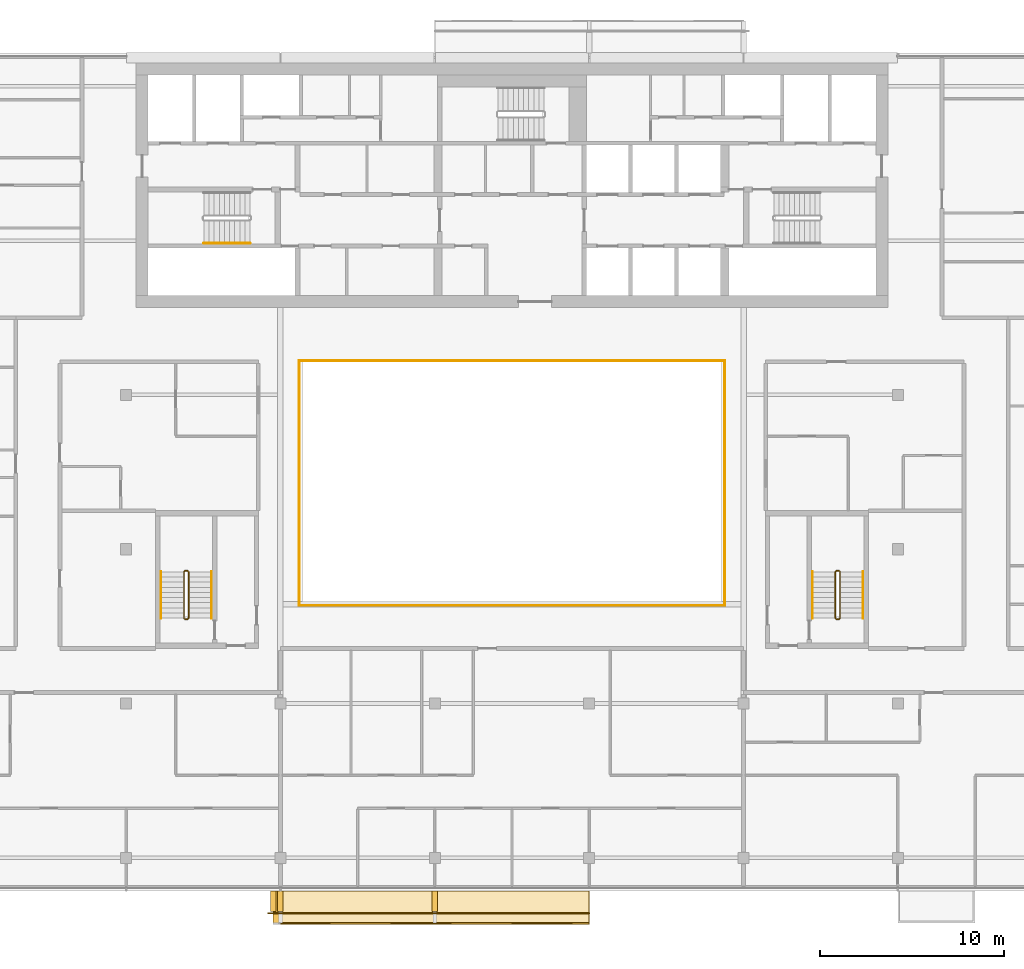
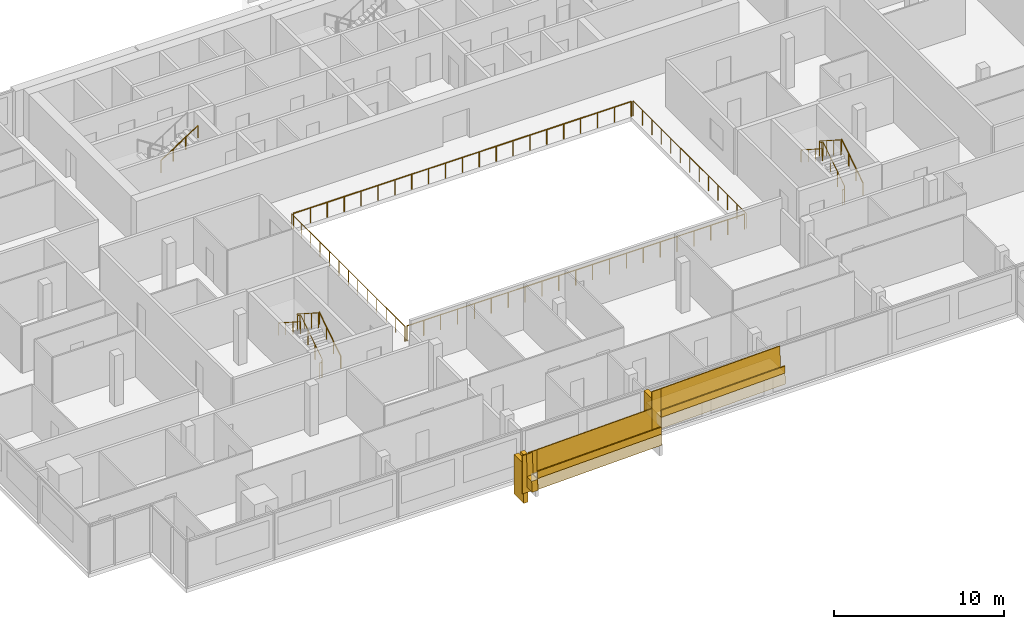
# One storey, part 25 of 26: 17 railings, 8 coverings.
"""IFC4 building model written with IfcOpenShell, lengths in metres."""

from ifc_helpers import new_model, si_unit, direction, frame, origin, origin_2d, place, context, subcontext, project, spatial, polyline, rectangle, circle, outline, extrude, material, layer, layer_set, type_object, element, save


model = new_model("IFC4")

# Units and contexts
model_context = context("Model", 3, precision=1e-05, world=origin(), true_north=direction((0.0, 1.0)))
body_context = subcontext(model_context, "Body", "Model", "MODEL_VIEW")
ifc_project = project(units=[si_unit("LENGTHUNIT", "METRE"), si_unit("AREAUNIT", "SQUARE_METRE"), si_unit("VOLUMEUNIT", "CUBIC_METRE"), si_unit("PLANEANGLEUNIT", "RADIAN"), si_unit("MASSUNIT", "GRAM", prefix="KILO")], contexts=[model_context])

# Site, building, storey
site_placement = place(None, origin())
site = spatial("IfcSite", under=ifc_project, at=site_placement, CompositionType="ELEMENT")
building_placement = place(site_placement, origin())
building = spatial("IfcBuilding", under=site, at=building_placement, Name="Saffron Gate Tower", CompositionType="ELEMENT")
storey_placement = place(building_placement, frame((0.0, 0.0, 230.699951171875)))
storey = spatial("IfcBuildingStorey", under=building, at=storey_placement, Name="L56", CompositionType="ELEMENT", Elevation=230.699951171875)

# Railings
ifc_material_1 = material(Name="Stainless steel and laminated glass", Category="steel")
railing_type_1 = type_object("IfcRailingType", Name="AG1 Atrium edge guard 1100", PredefinedType="GUARDRAIL", material=ifc_material_1)
railing_1_placement = place(storey_placement, frame((76.02001953125, 45.5400390625, 0.0)))
element("IfcRailing", 1, at=railing_1_placement, inside=storey, type_object=railing_type_1, Name="Guard D3-1", PredefinedType="GUARDRAIL", context=body_context, shape_type="SweptSolid", body=[
    extrude(circle(Radius=0.02392578125, at=origin_2d()), frame((0.0, 0.0, 1.076171875), z_axis=(0.0, 1.0, 0.0), x_axis=(-1.0, 0.0, 0.0)), (0.0, 0.0, 1.0), 13.320068359375),
    extrude(circle(Radius=0.02099609375, at=origin_2d()), origin(), (0.0, 0.0, 1.0), 1.052001953125),
    extrude(circle(Radius=0.02099609375, at=origin_2d()), frame((0.0, 1.110107421875, 0.0)), (0.0, 0.0, 1.0), 1.052001953125),
    extrude(circle(Radius=0.02099609375, at=origin_2d()), frame((0.0, 2.219970703125, 0.0)), (0.0, 0.0, 1.0), 1.052001953125),
    extrude(circle(Radius=0.02099609375, at=origin_2d()), frame((0.0, 3.330078125, 0.0)), (0.0, 0.0, 1.0), 1.052001953125),
    extrude(circle(Radius=0.02099609375, at=origin_2d()), frame((0.0, 4.43994140625, 0.0)), (0.0, 0.0, 1.0), 1.052001953125),
    extrude(circle(Radius=0.02099609375, at=origin_2d()), frame((0.0, 5.550048828125, 0.0)), (0.0, 0.0, 1.0), 1.052001953125),
    extrude(circle(Radius=0.02099609375, at=origin_2d()), frame((0.0, 6.66015625, 0.0)), (0.0, 0.0, 1.0), 1.052001953125),
    extrude(circle(Radius=0.02099609375, at=origin_2d()), frame((0.0, 7.77001953125, 0.0)), (0.0, 0.0, 1.0), 1.052001953125),
    extrude(circle(Radius=0.02099609375, at=origin_2d()), frame((0.0, 8.880126953125, 0.0)), (0.0, 0.0, 1.0), 1.052001953125),
    extrude(circle(Radius=0.02099609375, at=origin_2d()), frame((0.0, 9.989990234375, 0.0)), (0.0, 0.0, 1.0), 1.052001953125),
    extrude(circle(Radius=0.02099609375, at=origin_2d()), frame((0.0, 11.10009765625, 0.0)), (0.0, 0.0, 1.0), 1.052001953125),
    extrude(circle(Radius=0.02099609375, at=origin_2d()), frame((0.0, 12.2099609375, 0.0)), (0.0, 0.0, 1.0), 1.052001953125),
    extrude(circle(Radius=0.02099609375, at=origin_2d()), frame((0.0, 13.320068359375, 0.0)), (0.0, 0.0, 1.0), 1.052001953125),
])
railing_2_placement = place(storey_placement, frame((76.139892578125, 58.860107421875, 0.0)))
element("IfcRailing", 2, at=railing_2_placement, inside=storey, type_object=railing_type_1, Name="Guard D3-2", PredefinedType="GUARDRAIL", context=body_context, shape_type="SweptSolid", body=[
    extrude(circle(Radius=0.02392578125, at=origin_2d()), frame((0.0, 0.0, 1.076171875), z_axis=(1.0, 0.0, 0.0), x_axis=(0.0, 1.0, 0.0)), (0.0, 0.0, 1.0), 22.920166015625),
    extrude(circle(Radius=0.02099609375, at=origin_2d()), origin(), (0.0, 0.0, 1.0), 1.052001953125),
    extrude(circle(Radius=0.02099609375, at=origin_2d()), frame((1.14599609375, 0.0, 0.0)), (0.0, 0.0, 1.0), 1.052001953125),
    extrude(circle(Radius=0.02099609375, at=origin_2d()), frame((2.2919921875, 0.0, 0.0)), (0.0, 0.0, 1.0), 1.052001953125),
    extrude(circle(Radius=0.02099609375, at=origin_2d()), frame((3.43798828125, 0.0, 0.0)), (0.0, 0.0, 1.0), 1.052001953125),
    extrude(circle(Radius=0.02099609375, at=origin_2d()), frame((4.583984375, 0.0, 0.0)), (0.0, 0.0, 1.0), 1.052001953125),
    extrude(circle(Radius=0.02099609375, at=origin_2d()), frame((5.72998046875, 0.0, 0.0)), (0.0, 0.0, 1.0), 1.052001953125),
    extrude(circle(Radius=0.02099609375, at=origin_2d()), frame((6.8759765625, 0.0, 0.0)), (0.0, 0.0, 1.0), 1.052001953125),
    extrude(circle(Radius=0.02099609375, at=origin_2d()), frame((8.02197265625, 0.0, 0.0)), (0.0, 0.0, 1.0), 1.052001953125),
    extrude(circle(Radius=0.02099609375, at=origin_2d()), frame((9.16796875, 0.0, 0.0)), (0.0, 0.0, 1.0), 1.052001953125),
    extrude(circle(Radius=0.02099609375, at=origin_2d()), frame((10.31396484375, 0.0, 0.0)), (0.0, 0.0, 1.0), 1.052001953125),
    extrude(circle(Radius=0.02099609375, at=origin_2d()), frame((11.4599609375, 0.0, 0.0)), (0.0, 0.0, 1.0), 1.052001953125),
    extrude(circle(Radius=0.02099609375, at=origin_2d()), frame((12.606201171875, 0.0, 0.0)), (0.0, 0.0, 1.0), 1.052001953125),
    extrude(circle(Radius=0.02099609375, at=origin_2d()), frame((13.752197265625, 0.0, 0.0)), (0.0, 0.0, 1.0), 1.052001953125),
    extrude(circle(Radius=0.02099609375, at=origin_2d()), frame((14.898193359375, 0.0, 0.0)), (0.0, 0.0, 1.0), 1.052001953125),
    extrude(circle(Radius=0.02099609375, at=origin_2d()), frame((16.044189453125, 0.0, 0.0)), (0.0, 0.0, 1.0), 1.052001953125),
    extrude(circle(Radius=0.02099609375, at=origin_2d()), frame((17.190185546875, 0.0, 0.0)), (0.0, 0.0, 1.0), 1.052001953125),
    extrude(circle(Radius=0.02099609375, at=origin_2d()), frame((18.336181640625, 0.0, 0.0)), (0.0, 0.0, 1.0), 1.052001953125),
    extrude(circle(Radius=0.02099609375, at=origin_2d()), frame((19.482177734375, 0.0, 0.0)), (0.0, 0.0, 1.0), 1.052001953125),
    extrude(circle(Radius=0.02099609375, at=origin_2d()), frame((20.628173828125, 0.0, 0.0)), (0.0, 0.0, 1.0), 1.052001953125),
    extrude(circle(Radius=0.02099609375, at=origin_2d()), frame((21.774169921875, 0.0, 0.0)), (0.0, 0.0, 1.0), 1.052001953125),
    extrude(circle(Radius=0.02099609375, at=origin_2d()), frame((22.920166015625, 0.0, 0.0)), (0.0, 0.0, 1.0), 1.052001953125),
])
railing_3_placement = place(storey_placement, frame((99.179931640625, 58.860107421875, 0.0)))
element("IfcRailing", 3, at=railing_3_placement, inside=storey, type_object=railing_type_1, Name="Guard D3-3", PredefinedType="GUARDRAIL", context=body_context, shape_type="SweptSolid", body=[
    extrude(circle(Radius=0.02392578125, at=origin_2d()), frame((0.0, 0.0, 1.076171875), z_axis=(0.0, -1.0, 0.0), x_axis=(1.0, 0.0, 0.0)), (0.0, 0.0, 1.0), 13.320068359375),
    extrude(circle(Radius=0.02099609375, at=origin_2d()), origin(), (0.0, 0.0, 1.0), 1.052001953125),
    extrude(circle(Radius=0.02099609375, at=origin_2d()), frame((0.0, -1.110107421875, 0.0)), (0.0, 0.0, 1.0), 1.052001953125),
    extrude(circle(Radius=0.02099609375, at=origin_2d()), frame((0.0, -2.219970703125, 0.0)), (0.0, 0.0, 1.0), 1.052001953125),
    extrude(circle(Radius=0.02099609375, at=origin_2d()), frame((0.0, -3.330078125, 0.0)), (0.0, 0.0, 1.0), 1.052001953125),
    extrude(circle(Radius=0.02099609375, at=origin_2d()), frame((0.0, -4.43994140625, 0.0)), (0.0, 0.0, 1.0), 1.052001953125),
    extrude(circle(Radius=0.02099609375, at=origin_2d()), frame((0.0, -5.550048828125, 0.0)), (0.0, 0.0, 1.0), 1.052001953125),
    extrude(circle(Radius=0.02099609375, at=origin_2d()), frame((0.0, -6.66015625, 0.0)), (0.0, 0.0, 1.0), 1.052001953125),
    extrude(circle(Radius=0.02099609375, at=origin_2d()), frame((0.0, -7.77001953125, 0.0)), (0.0, 0.0, 1.0), 1.052001953125),
    extrude(circle(Radius=0.02099609375, at=origin_2d()), frame((0.0, -8.880126953125, 0.0)), (0.0, 0.0, 1.0), 1.052001953125),
    extrude(circle(Radius=0.02099609375, at=origin_2d()), frame((0.0, -9.989990234375, 0.0)), (0.0, 0.0, 1.0), 1.052001953125),
    extrude(circle(Radius=0.02099609375, at=origin_2d()), frame((0.0, -11.10009765625, 0.0)), (0.0, 0.0, 1.0), 1.052001953125),
    extrude(circle(Radius=0.02099609375, at=origin_2d()), frame((0.0, -12.2099609375, 0.0)), (0.0, 0.0, 1.0), 1.052001953125),
    extrude(circle(Radius=0.02099609375, at=origin_2d()), frame((0.0, -13.320068359375, 0.0)), (0.0, 0.0, 1.0), 1.052001953125),
])
railing_4_placement = place(storey_placement, frame((99.06005859375, 45.5400390625, 0.0)))
element("IfcRailing", 4, at=railing_4_placement, inside=storey, type_object=railing_type_1, Name="Guard D3-4", PredefinedType="GUARDRAIL", context=body_context, shape_type="SweptSolid", body=[
    extrude(circle(Radius=0.02392578125, at=origin_2d()), frame((0.0, 0.0, 1.076171875), z_axis=(-1.0, 0.0, 0.0), x_axis=(0.0, -1.0, 0.0)), (0.0, 0.0, 1.0), 22.920166015625),
    extrude(circle(Radius=0.02099609375, at=origin_2d()), origin(), (0.0, 0.0, 1.0), 1.052001953125),
    extrude(circle(Radius=0.02099609375, at=origin_2d()), frame((-1.14599609375, 0.0, 0.0)), (0.0, 0.0, 1.0), 1.052001953125),
    extrude(circle(Radius=0.02099609375, at=origin_2d()), frame((-2.2919921875, 0.0, 0.0)), (0.0, 0.0, 1.0), 1.052001953125),
    extrude(circle(Radius=0.02099609375, at=origin_2d()), frame((-3.43798828125, 0.0, 0.0)), (0.0, 0.0, 1.0), 1.052001953125),
    extrude(circle(Radius=0.02099609375, at=origin_2d()), frame((-4.583984375, 0.0, 0.0)), (0.0, 0.0, 1.0), 1.052001953125),
    extrude(circle(Radius=0.02099609375, at=origin_2d()), frame((-5.72998046875, 0.0, 0.0)), (0.0, 0.0, 1.0), 1.052001953125),
    extrude(circle(Radius=0.02099609375, at=origin_2d()), frame((-6.8759765625, 0.0, 0.0)), (0.0, 0.0, 1.0), 1.052001953125),
    extrude(circle(Radius=0.02099609375, at=origin_2d()), frame((-8.02197265625, 0.0, 0.0)), (0.0, 0.0, 1.0), 1.052001953125),
    extrude(circle(Radius=0.02099609375, at=origin_2d()), frame((-9.16796875, 0.0, 0.0)), (0.0, 0.0, 1.0), 1.052001953125),
    extrude(circle(Radius=0.02099609375, at=origin_2d()), frame((-10.31396484375, 0.0, 0.0)), (0.0, 0.0, 1.0), 1.052001953125),
    extrude(circle(Radius=0.02099609375, at=origin_2d()), frame((-11.4599609375, 0.0, 0.0)), (0.0, 0.0, 1.0), 1.052001953125),
    extrude(circle(Radius=0.02099609375, at=origin_2d()), frame((-12.606201171875, 0.0, 0.0)), (0.0, 0.0, 1.0), 1.052001953125),
    extrude(circle(Radius=0.02099609375, at=origin_2d()), frame((-13.752197265625, 0.0, 0.0)), (0.0, 0.0, 1.0), 1.052001953125),
    extrude(circle(Radius=0.02099609375, at=origin_2d()), frame((-14.898193359375, 0.0, 0.0)), (0.0, 0.0, 1.0), 1.052001953125),
    extrude(circle(Radius=0.02099609375, at=origin_2d()), frame((-16.044189453125, 0.0, 0.0)), (0.0, 0.0, 1.0), 1.052001953125),
    extrude(circle(Radius=0.02099609375, at=origin_2d()), frame((-17.190185546875, 0.0, 0.0)), (0.0, 0.0, 1.0), 1.052001953125),
    extrude(circle(Radius=0.02099609375, at=origin_2d()), frame((-18.336181640625, 0.0, 0.0)), (0.0, 0.0, 1.0), 1.052001953125),
    extrude(circle(Radius=0.02099609375, at=origin_2d()), frame((-19.482177734375, 0.0, 0.0)), (0.0, 0.0, 1.0), 1.052001953125),
    extrude(circle(Radius=0.02099609375, at=origin_2d()), frame((-20.628173828125, 0.0, 0.0)), (0.0, 0.0, 1.0), 1.052001953125),
    extrude(circle(Radius=0.02099609375, at=origin_2d()), frame((-21.774169921875, 0.0, 0.0)), (0.0, 0.0, 1.0), 1.052001953125),
    extrude(circle(Radius=0.02099609375, at=origin_2d()), frame((-22.920166015625, 0.0, 0.0)), (0.0, 0.0, 1.0), 1.052001953125),
])
railing_type_2 = type_object("IfcRailingType", Name="CR1 Stair guard 1100", PredefinedType="GUARDRAIL", material=ifc_material_1)
railing_5_placement = place(storey_placement, frame((69.800048828125, 44.800048828125, 0.0)))
element("IfcRailing", 5, at=railing_5_placement, inside=storey, type_object=railing_type_2, Name="L56 ST-D stair guard 1", PredefinedType="GUARDRAIL", context=body_context, shape_type="SweptSolid", body=[
    extrude(circle(Radius=0.02392578125, at=origin_2d()), frame((0.0, 0.0, 1.076171875), z_axis=(1.0, 0.0, 0.0), x_axis=(0.0, 1.0, 0.0)), (0.0, 0.0, 1.0), 0.14990234375),
    extrude(circle(Radius=0.02392578125, at=origin_2d()), frame((0.14990234375, 0.0, 1.076171875), z_axis=(0.258847668887, 0.258847668887, 0.930588936439), x_axis=(-0.707106781187, 0.707106781187, 0.0)), (0.0, 0.0, 1.0), 0.193359375),
    extrude(circle(Radius=0.02392578125, at=origin_2d()), frame((0.199951171875, 0.050048828125, 1.255859375), z_axis=(0.0, 0.841162588446, 0.540782303519), x_axis=(-1.0, 0.0, 0.0)), (0.0, 0.0, 1.0), 2.995849609375),
    extrude(circle(Radius=0.02392578125, at=origin_2d()), frame((0.199951171875, 2.570068359375, 2.8759765625), z_axis=(-0.708833529934, 0.705375805398, 0.0), x_axis=(-0.705375805398, -0.708833529934, 0.0)), (0.0, 0.0, 1.0), 0.070556640625),
    extrude(circle(Radius=0.02392578125, at=origin_2d()), frame((0.14990234375, 2.619873046875, 2.8759765625), z_axis=(-1.0, 0.0, 0.0), x_axis=(0.0, -1.0, 0.0)), (0.0, 0.0, 1.0), 0.14990234375),
    extrude(circle(Radius=0.02392578125, at=origin_2d()), frame((0.0, 2.619873046875, 2.8759765625), z_axis=(-0.258932105505, -0.257669022063, 0.930892496375), x_axis=(0.705375805398, -0.708833529934, 0.0)), (0.0, 0.0, 1.0), 0.193359375),
    extrude(circle(Radius=0.02392578125, at=origin_2d()), frame((-0.050048828125, 2.570068359375, 3.05615234375), z_axis=(0.0, -0.841162588446, 0.540782303519), x_axis=(1.0, 0.0, 0.0)), (0.0, 0.0, 1.0), 2.995849609375),
    extrude(circle(Radius=0.02099609375, at=origin_2d()), origin(), (0.0, 0.0, 1.0), 1.052001953125),
    extrude(circle(Radius=0.02099609375, at=origin_2d()), frame((0.14990234375, 0.0, 0.0)), (0.0, 0.0, 1.0), 1.052001953125),
    extrude(circle(Radius=0.02099609375, at=origin_2d()), frame((0.199951171875, 0.050048828125, 0.179931640625)), (0.0, 0.0, 1.0), 1.052001953125),
    extrude(circle(Radius=0.02099609375, at=origin_2d()), frame((0.199951171875, 0.89013671875, 0.719970703125)), (0.0, 0.0, 1.0), 1.052001953125),
    extrude(circle(Radius=0.02099609375, at=origin_2d()), frame((0.199951171875, 1.72998046875, 1.260009765625)), (0.0, 0.0, 1.0), 1.052001953125),
    extrude(circle(Radius=0.02099609375, at=origin_2d()), frame((0.199951171875, 2.570068359375, 1.800048828125)), (0.0, 0.0, 1.0), 1.052001953125),
    extrude(circle(Radius=0.02099609375, at=origin_2d()), frame((0.14990234375, 2.619873046875, 1.800048828125)), (0.0, 0.0, 1.0), 1.052001953125),
    extrude(circle(Radius=0.02099609375, at=origin_2d()), frame((0.0, 2.619873046875, 1.800048828125)), (0.0, 0.0, 1.0), 1.052001953125),
    extrude(circle(Radius=0.02099609375, at=origin_2d()), frame((-0.050048828125, 2.570068359375, 1.97998046875)), (0.0, 0.0, 1.0), 1.052001953125),
    extrude(circle(Radius=0.02099609375, at=origin_2d()), frame((-0.050048828125, 1.72998046875, 2.52001953125)), (0.0, 0.0, 1.0), 1.052001953125),
    extrude(circle(Radius=0.02099609375, at=origin_2d()), frame((-0.050048828125, 0.89013671875, 3.06005859375)), (0.0, 0.0, 1.0), 1.052001953125),
    extrude(circle(Radius=0.02099609375, at=origin_2d()), frame((-0.050048828125, 0.050048828125, 3.60009765625)), (0.0, 0.0, 1.0), 1.052001953125),
])
railing_6_placement = place(storey_placement, frame((105.25, 44.800048828125, 0.0)))
element("IfcRailing", 6, at=railing_6_placement, inside=storey, type_object=railing_type_2, Name="L56 ST-E stair guard 1", PredefinedType="GUARDRAIL", context=body_context, shape_type="SweptSolid", body=[
    extrude(circle(Radius=0.02392578125, at=origin_2d()), frame((0.0, 0.0, 1.076171875), z_axis=(1.0, 0.0, 0.0), x_axis=(0.0, 1.0, 0.0)), (0.0, 0.0, 1.0), 0.14990234375),
    extrude(circle(Radius=0.02392578125, at=origin_2d()), frame((0.14990234375, 0.0, 1.076171875), z_axis=(0.258847668887, 0.258847668887, 0.930588936439), x_axis=(-0.707106781187, 0.707106781187, 0.0)), (0.0, 0.0, 1.0), 0.193359375),
    extrude(circle(Radius=0.02392578125, at=origin_2d()), frame((0.199951171875, 0.050048828125, 1.255859375), z_axis=(0.0, 0.841162588446, 0.540782303519), x_axis=(-1.0, 0.0, 0.0)), (0.0, 0.0, 1.0), 2.995849609375),
    extrude(circle(Radius=0.02392578125, at=origin_2d()), frame((0.199951171875, 2.570068359375, 2.8759765625), z_axis=(-0.708833529934, 0.705375805398, 0.0), x_axis=(-0.705375805398, -0.708833529934, 0.0)), (0.0, 0.0, 1.0), 0.070556640625),
    extrude(circle(Radius=0.02392578125, at=origin_2d()), frame((0.14990234375, 2.619873046875, 2.8759765625), z_axis=(-1.0, 0.0, 0.0), x_axis=(0.0, -1.0, 0.0)), (0.0, 0.0, 1.0), 0.14990234375),
    extrude(circle(Radius=0.02392578125, at=origin_2d()), frame((0.0, 2.619873046875, 2.8759765625), z_axis=(-0.258932105505, -0.257669022063, 0.930892496375), x_axis=(0.705375805398, -0.708833529934, 0.0)), (0.0, 0.0, 1.0), 0.193359375),
    extrude(circle(Radius=0.02392578125, at=origin_2d()), frame((-0.050048828125, 2.570068359375, 3.05615234375), z_axis=(0.0, -0.841162588446, 0.540782303519), x_axis=(1.0, 0.0, 0.0)), (0.0, 0.0, 1.0), 2.995849609375),
    extrude(circle(Radius=0.02099609375, at=origin_2d()), origin(), (0.0, 0.0, 1.0), 1.052001953125),
    extrude(circle(Radius=0.02099609375, at=origin_2d()), frame((0.14990234375, 0.0, 0.0)), (0.0, 0.0, 1.0), 1.052001953125),
    extrude(circle(Radius=0.02099609375, at=origin_2d()), frame((0.199951171875, 0.050048828125, 0.179931640625)), (0.0, 0.0, 1.0), 1.052001953125),
    extrude(circle(Radius=0.02099609375, at=origin_2d()), frame((0.199951171875, 0.89013671875, 0.719970703125)), (0.0, 0.0, 1.0), 1.052001953125),
    extrude(circle(Radius=0.02099609375, at=origin_2d()), frame((0.199951171875, 1.72998046875, 1.260009765625)), (0.0, 0.0, 1.0), 1.052001953125),
    extrude(circle(Radius=0.02099609375, at=origin_2d()), frame((0.199951171875, 2.570068359375, 1.800048828125)), (0.0, 0.0, 1.0), 1.052001953125),
    extrude(circle(Radius=0.02099609375, at=origin_2d()), frame((0.14990234375, 2.619873046875, 1.800048828125)), (0.0, 0.0, 1.0), 1.052001953125),
    extrude(circle(Radius=0.02099609375, at=origin_2d()), frame((0.0, 2.619873046875, 1.800048828125)), (0.0, 0.0, 1.0), 1.052001953125),
    extrude(circle(Radius=0.02099609375, at=origin_2d()), frame((-0.050048828125, 2.570068359375, 1.97998046875)), (0.0, 0.0, 1.0), 1.052001953125),
    extrude(circle(Radius=0.02099609375, at=origin_2d()), frame((-0.050048828125, 1.72998046875, 2.52001953125)), (0.0, 0.0, 1.0), 1.052001953125),
    extrude(circle(Radius=0.02099609375, at=origin_2d()), frame((-0.050048828125, 0.89013671875, 3.06005859375)), (0.0, 0.0, 1.0), 1.052001953125),
    extrude(circle(Radius=0.02099609375, at=origin_2d()), frame((-0.050048828125, 0.050048828125, 3.60009765625)), (0.0, 0.0, 1.0), 1.052001953125),
])
ifc_material_2 = material(Name="Stainless steel", Category="steel")
railing_type_3 = type_object("IfcRailingType", Name="CR2 Stair handrail 900", PredefinedType="HANDRAIL", material=ifc_material_2)
railing_7_placement = place(storey_placement, frame((70.830078125, 65.25, 1.97998046875)))
element("IfcRailing", 7, at=railing_7_placement, inside=storey, type_object=railing_type_3, Name="L56 ST-A stair handrail 2", PredefinedType="HANDRAIL", context=body_context, shape_type="SweptSolid", body=[
    extrude(circle(Radius=0.02392578125, at=origin_2d()), frame((0.0, 0.0, 0.8759765625), z_axis=(0.841162588446, 0.0, 0.540782303519), x_axis=(0.0, 1.0, 0.0)), (0.0, 0.0, 1.0), 2.995849609375),
    extrude(circle(Radius=0.02099609375, at=origin_2d()), origin(), (0.0, 0.0, 1.0), 0.851806640625),
    extrude(circle(Radius=0.02099609375, at=origin_2d()), frame((0.840087890625, 0.0, 0.5400390625)), (0.0, 0.0, 1.0), 0.851806640625),
    extrude(circle(Radius=0.02099609375, at=origin_2d()), frame((1.679931640625, 0.0, 1.080078125)), (0.0, 0.0, 1.0), 0.851806640625),
    extrude(circle(Radius=0.02099609375, at=origin_2d()), frame((2.52001953125, 0.0, 1.6201171875)), (0.0, 0.0, 1.0), 0.851806640625),
])
railing_8_placement = place(storey_placement, frame((71.25, 44.85009765625, 0.179931640625)))
element("IfcRailing", 8, at=railing_8_placement, inside=storey, type_object=railing_type_3, Name="L56 ST-D stair handrail 1", PredefinedType="HANDRAIL", context=body_context, shape_type="SweptSolid", body=[
    extrude(circle(Radius=0.02392578125, at=origin_2d()), frame((0.0, 0.0, 0.8759765625), z_axis=(0.0, 0.841162588446, 0.540782303519), x_axis=(-1.0, 0.0, 0.0)), (0.0, 0.0, 1.0), 2.995849609375),
    extrude(circle(Radius=0.02099609375, at=origin_2d()), origin(), (0.0, 0.0, 1.0), 0.851806640625),
    extrude(circle(Radius=0.02099609375, at=origin_2d()), frame((0.0, 0.840087890625, 0.5400390625)), (0.0, 0.0, 1.0), 0.851806640625),
    extrude(circle(Radius=0.02099609375, at=origin_2d()), frame((0.0, 1.679931640625, 1.080078125)), (0.0, 0.0, 1.0), 0.851806640625),
    extrude(circle(Radius=0.02099609375, at=origin_2d()), frame((0.0, 2.52001953125, 1.6201171875)), (0.0, 0.0, 1.0), 0.851806640625),
])
railing_9_placement = place(storey_placement, frame((68.5, 47.3701171875, 1.97998046875)))
element("IfcRailing", 9, at=railing_9_placement, inside=storey, type_object=railing_type_3, Name="L56 ST-D stair handrail 2", PredefinedType="HANDRAIL", context=body_context, shape_type="SweptSolid", body=[
    extrude(circle(Radius=0.02392578125, at=origin_2d()), frame((0.0, 0.0, 0.8759765625), z_axis=(0.0, -0.841162588446, 0.540782303519), x_axis=(1.0, 0.0, 0.0)), (0.0, 0.0, 1.0), 2.995849609375),
    extrude(circle(Radius=0.02099609375, at=origin_2d()), origin(), (0.0, 0.0, 1.0), 0.851806640625),
    extrude(circle(Radius=0.02099609375, at=origin_2d()), frame((0.0, -0.840087890625, 0.5400390625)), (0.0, 0.0, 1.0), 0.851806640625),
    extrude(circle(Radius=0.02099609375, at=origin_2d()), frame((0.0, -1.679931640625, 1.080078125)), (0.0, 0.0, 1.0), 0.851806640625),
    extrude(circle(Radius=0.02099609375, at=origin_2d()), frame((0.0, -2.52001953125, 1.6201171875)), (0.0, 0.0, 1.0), 0.851806640625),
])
railing_10_placement = place(storey_placement, frame((106.699951171875, 44.85009765625, 0.179931640625)))
element("IfcRailing", 10, at=railing_10_placement, inside=storey, type_object=railing_type_3, Name="L56 ST-E stair handrail 1", PredefinedType="HANDRAIL", context=body_context, shape_type="SweptSolid", body=[
    extrude(circle(Radius=0.02392578125, at=origin_2d()), frame((0.0, 0.0, 0.8759765625), z_axis=(0.0, 0.841162588446, 0.540782303519), x_axis=(-1.0, 0.0, 0.0)), (0.0, 0.0, 1.0), 2.995849609375),
    extrude(circle(Radius=0.02099609375, at=origin_2d()), origin(), (0.0, 0.0, 1.0), 0.851806640625),
    extrude(circle(Radius=0.02099609375, at=origin_2d()), frame((0.0, 0.840087890625, 0.5400390625)), (0.0, 0.0, 1.0), 0.851806640625),
    extrude(circle(Radius=0.02099609375, at=origin_2d()), frame((0.0, 1.679931640625, 1.080078125)), (0.0, 0.0, 1.0), 0.851806640625),
    extrude(circle(Radius=0.02099609375, at=origin_2d()), frame((0.0, 2.52001953125, 1.6201171875)), (0.0, 0.0, 1.0), 0.851806640625),
])
railing_11_placement = place(storey_placement, frame((103.949951171875, 47.3701171875, 1.97998046875)))
element("IfcRailing", 11, at=railing_11_placement, inside=storey, type_object=railing_type_3, Name="L56 ST-E stair handrail 2", PredefinedType="HANDRAIL", context=body_context, shape_type="SweptSolid", body=[
    extrude(circle(Radius=0.02392578125, at=origin_2d()), frame((0.0, 0.0, 0.8759765625), z_axis=(0.0, -0.841162588446, 0.540782303519), x_axis=(1.0, 0.0, 0.0)), (0.0, 0.0, 1.0), 2.995849609375),
    extrude(circle(Radius=0.02099609375, at=origin_2d()), origin(), (0.0, 0.0, 1.0), 0.851806640625),
    extrude(circle(Radius=0.02099609375, at=origin_2d()), frame((0.0, -0.840087890625, 0.5400390625)), (0.0, 0.0, 1.0), 0.851806640625),
    extrude(circle(Radius=0.02099609375, at=origin_2d()), frame((0.0, -1.679931640625, 1.080078125)), (0.0, 0.0, 1.0), 0.851806640625),
    extrude(circle(Radius=0.02099609375, at=origin_2d()), frame((0.0, -2.52001953125, 1.6201171875)), (0.0, 0.0, 1.0), 0.851806640625),
])

# Coverings
ifc_material_3 = material(Name="Timber, thermally modified ash", Category="wood")
ifc_layer_1 = layer(ifc_material_3, 0.800048828125)
ifc_layer_set_1 = layer_set([ifc_layer_1], Name="LD1 ledge timber")
covering_type_1 = type_object("IfcCoveringType", Name="LD1 ledge timber", PredefinedType="CLADDING", material=ifc_layer_set_1)
covering_1_placement = place(storey_placement, frame((74.60009765625, 30.0, 0.975341796875), z_axis=(-0.028681724025, 0.0, 0.999588594726), x_axis=(0.999588594726, 0.0, 0.028681724025)))
element("IfcCovering", 12, at=covering_1_placement, inside=storey, type_object=covering_type_1, Name="LEDGE", PredefinedType="CLADDING", context=body_context, shape_type="SweptSolid", body=[
    extrude(outline(polyline([(0.0, 0.0), (0.40006693339621563, 0.0), (0.40006693339621563, -1.8000488281250004), (0.0, -1.8000488281250004), (0.0, 0.0)])), origin(), (0.0, 0.0, -1.0), 0.800048828125),
])
covering_2_placement = place(storey_placement, frame((75.0, 30.0, 1.0439453125), z_axis=(-0.028791175352, 0.0, 0.999585448184), x_axis=(0.999585448184, 0.0, 0.028791175352)))
element("IfcCovering", 13, at=covering_2_placement, inside=storey, type_object=covering_type_1, Name="LEDGE", PredefinedType="CLADDING", context=body_context, shape_type="SweptSolid", body=[
    extrude(outline(polyline([(0.0, 0.0), (8.403385982666892, 0.0), (8.403385982666892, -1.800048828125), (0.0, -1.800048828125), (0.0, 0.0)])), origin(), (0.0, 0.0, -1.0), 0.800048828125),
])
covering_3_placement = place(storey_placement, frame((83.39990234375, 30.0, 2.486328125), z_axis=(-0.028790339263, 0.0, 0.999585472266), x_axis=(0.999585472266, 0.0, 0.028790339263)))
element("IfcCovering", 14, at=covering_3_placement, inside=storey, type_object=covering_type_1, Name="LEDGE", PredefinedType="CLADDING", context=body_context, shape_type="SweptSolid", body=[
    extrude(outline(polyline([(0.0, 0.0), (8.403630022085892, 0.0), (8.403630022085892, -1.800048828125), (0.0, -1.800048828125), (0.0, 0.0)])), origin(), (0.0, 0.0, -1.0), 0.800048828125),
])
ifc_layer_2 = layer(ifc_material_3, 0.080078125)
ifc_layer_set_2 = layer_set([ifc_layer_2], Name="LD2 ledge planter trough")
covering_type_2 = type_object("IfcCoveringType", Name="LD2 ledge planter trough", PredefinedType="CLADDING", material=ifc_layer_set_2)
covering_4_placement = place(storey_placement, frame((75.0, 28.199951171875, 1.0439453125), z_axis=(0.0, -1.0, 0.0), x_axis=(0.999585448184, 0.0, 0.028791175352)))
element("IfcCovering", 15, at=covering_4_placement, inside=storey, type_object=covering_type_2, Name="LEDGE planter trough", PredefinedType="CLADDING", context=body_context, shape_type="SweptSolid", body=[
    extrude(outline(polyline([(0.0, 0.0), (8.403385982666892, 0.0), (8.417781570342743, 0.49979272409216496), (0.014395587675851172, 0.4997927240921649), (0.0, 0.0)])), origin(), (0.0, 0.0, -1.0), 0.080078125),
])
covering_5_placement = place(storey_placement, frame((83.39990234375, 28.199951171875, 2.486328125), z_axis=(0.0, -1.0, 0.0), x_axis=(0.999585472266, 0.0, 0.028790339263)))
element("IfcCovering", 16, at=covering_5_placement, inside=storey, type_object=covering_type_2, Name="LEDGE planter trough", PredefinedType="CLADDING", context=body_context, shape_type="SweptSolid", body=[
    extrude(outline(polyline([(0.0, 0.0), (8.403630022085892, 0.0), (8.418025191717298, 0.4997927361329725), (0.014395169631405694, 0.4997927361329725), (0.0, 0.0)])), origin(), (0.0, 0.0, -1.0), 0.080078125),
])
ifc_layer_3 = layer(ifc_material_3, 0.300048828125)
ifc_layer_set_3 = layer_set([ifc_layer_3], Name="LD3 ledge riser fin")
covering_type_3 = type_object("IfcCoveringType", Name="LD3 ledge riser fin", PredefinedType="CLADDING", material=ifc_layer_set_3)
covering_6_placement = place(storey_placement, frame((74.60009765625, 29.43994140625, -0.968017578125), z_axis=(0.0, 0.0, 1.0), x_axis=(1.0, 0.0, 0.0)))
element("IfcCovering", 17, at=covering_6_placement, inside=storey, type_object=covering_type_3, Name="LEDGE riser fin", PredefinedType="CLADDING", context=body_context, shape_type="SweptSolid", body=[
    extrude(rectangle(XDim=0.300048828125, YDim=1.1201171875, at=origin_2d()), origin(), (0.0, 0.0, 1.0), 2.84326171875),
])
covering_7_placement = place(storey_placement, frame((75.0, 29.43994140625, 0.18701171875), z_axis=(0.0, 0.0, 1.0), x_axis=(1.0, 0.0, 0.0)))
element("IfcCovering", 18, at=covering_7_placement, inside=storey, type_object=covering_type_3, Name="LEDGE riser fin", PredefinedType="CLADDING", context=body_context, shape_type="SweptSolid", body=[
    extrude(rectangle(XDim=0.300048828125, YDim=1.1201171875, at=origin_2d()), origin(), (0.0, 0.0, 1.0), 1.757080078125),
])
covering_8_placement = place(storey_placement, frame((83.39990234375, 29.43994140625, 0.48583984375), z_axis=(0.0, 0.0, 1.0), x_axis=(1.0, 0.0, 0.0)))
element("IfcCovering", 19, at=covering_8_placement, inside=storey, type_object=covering_type_3, Name="LEDGE riser fin", PredefinedType="CLADDING", context=body_context, shape_type="SweptSolid", body=[
    extrude(rectangle(XDim=0.300048828125, YDim=1.1201171875, at=origin_2d()), origin(), (0.0, 0.0, 1.0), 2.900390625),
])

# Railings
railing_type_4 = type_object("IfcRailingType", Name="LG1 ledge balustrade", PredefinedType="BALUSTRADE", material=ifc_material_3)
railing_12_placement = place(storey_placement, frame((74.60009765625, 28.800048828125, 0.975341796875)))
element("IfcRailing", 20, at=railing_12_placement, inside=storey, type_object=railing_type_4, Name="LEDGE BALUSTRADE", PredefinedType="BALUSTRADE", context=body_context, shape_type="SweptSolid", body=[
    extrude(rectangle(XDim=0.06005859375, YDim=1.60009765625, at=origin_2d()), frame((0.0, 0.0, 0.800048828125), z_axis=(0.999588594726, 0.0, 0.028681724025), x_axis=(0.0, 1.0, 0.0)), (0.0, 0.0, 1.0), 0.400146484375),
])
railing_13_placement = place(storey_placement, frame((74.300048828125, 28.800048828125, -0.16796875)))
element("IfcRailing", 21, at=railing_13_placement, inside=storey, type_object=railing_type_4, Name="LEDGE BALUSTRADE", PredefinedType="BALUSTRADE", context=body_context, shape_type="SweptSolid", body=[
    extrude(rectangle(XDim=0.06005859375, YDim=2.7431640625, at=origin_2d()), frame((0.0, 0.0, 1.37158203125), z_axis=(1.0, 0.0, 0.0), x_axis=(0.0, 1.0, 0.0)), (0.0, 0.0, 1.0), 0.599853515625),
])
railing_14_placement = place(storey_placement, frame((75.0, 28.800048828125, 1.0439453125)))
element("IfcRailing", 22, at=railing_14_placement, inside=storey, type_object=railing_type_4, Name="LEDGE BALUSTRADE", PredefinedType="BALUSTRADE", context=body_context, shape_type="SweptSolid", body=[
    extrude(rectangle(XDim=0.06005859375, YDim=1.60009765625, at=origin_2d()), frame((0.0, 0.0, 0.800048828125), z_axis=(0.999585448184, 0.0, 0.028791175352), x_axis=(0.0, 1.0, 0.0)), (0.0, 0.0, 1.0), 8.4033203125),
])
railing_15_placement = place(storey_placement, frame((74.699951171875, 28.800048828125, 0.98681640625)))
element("IfcRailing", 23, at=railing_15_placement, inside=storey, type_object=railing_type_4, Name="LEDGE BALUSTRADE", PredefinedType="BALUSTRADE", context=body_context, shape_type="SweptSolid", body=[
    extrude(rectangle(XDim=0.06005859375, YDim=1.6572265625, at=origin_2d()), frame((0.0, 0.0, 0.82861328125), z_axis=(1.0, 0.0, 0.0), x_axis=(0.0, 1.0, 0.0)), (0.0, 0.0, 1.0), 0.60009765625),
])
railing_16_placement = place(storey_placement, frame((83.39990234375, 28.800048828125, 2.486328125)))
element("IfcRailing", 24, at=railing_16_placement, inside=storey, type_object=railing_type_4, Name="LEDGE BALUSTRADE", PredefinedType="BALUSTRADE", context=body_context, shape_type="SweptSolid", body=[
    extrude(rectangle(XDim=0.06005859375, YDim=1.60009765625, at=origin_2d()), frame((0.0, 0.0, 0.800048828125), z_axis=(0.999585472266, 0.0, 0.028790339263), x_axis=(0.0, 1.0, 0.0)), (0.0, 0.0, 1.0), 8.403564453125),
])
railing_17_placement = place(storey_placement, frame((83.10009765625, 28.800048828125, 1.285888671875)))
element("IfcRailing", 25, at=railing_17_placement, inside=storey, type_object=railing_type_4, Name="LEDGE BALUSTRADE", PredefinedType="BALUSTRADE", context=body_context, shape_type="SweptSolid", body=[
    extrude(rectangle(XDim=0.06005859375, YDim=2.80029296875, at=origin_2d()), frame((0.0, 0.0, 1.400146484375), z_axis=(1.0, 0.0, 0.0), x_axis=(0.0, 1.0, 0.0)), (0.0, 0.0, 1.0), 0.599853515625),
])

save(model, "model.ifc")
